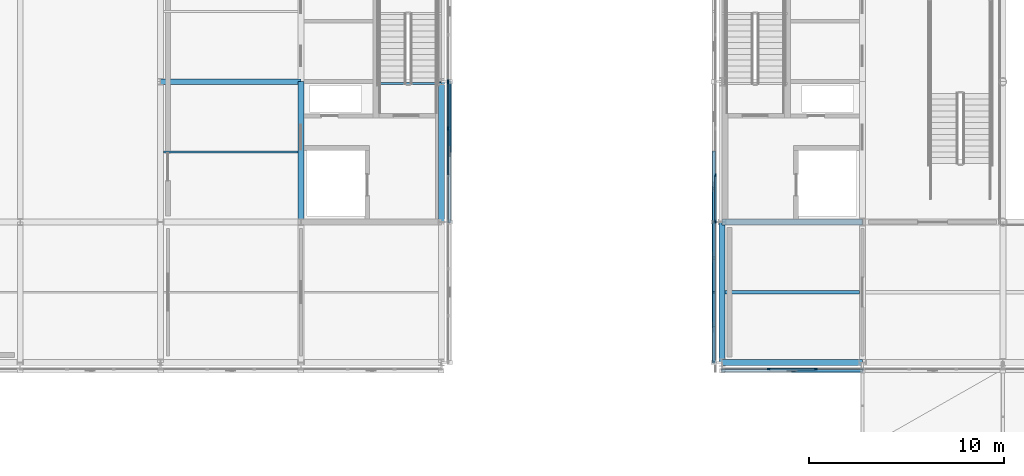
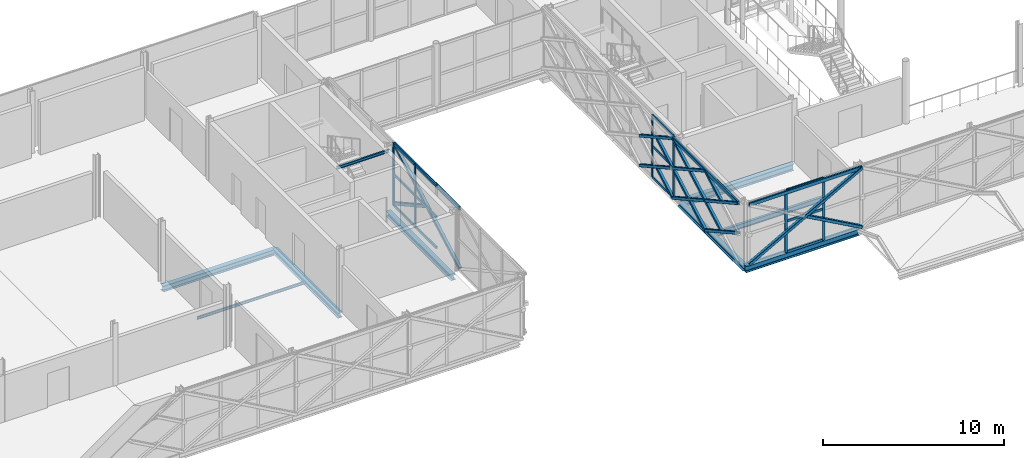
# One storey, part 29 of 146: 40 members, 9 beams, 4 elements without a shape of their own.
"""IFC4 building model written with IfcOpenShell, lengths in metres."""

from ifc_helpers import new_model, si_unit, direction, frame, origin, origin_2d, place, context, subcontext, project, spatial, rectangle, hollow_rectangle, i_section, extrude, material, material_profile, profile_set, type_object, element, aggregate, save


model = new_model("IFC4")

# Units and contexts
model_context = context("Model", 3, precision=1e-05, world=origin(), true_north=direction((0.0, 1.0)))
body_context = subcontext(model_context, "Body", "Model", "MODEL_VIEW")
ifc_project = project(units=[si_unit("LENGTHUNIT", "METRE"), si_unit("AREAUNIT", "SQUARE_METRE"), si_unit("VOLUMEUNIT", "CUBIC_METRE"), si_unit("PLANEANGLEUNIT", "RADIAN"), si_unit("MASSUNIT", "GRAM", prefix="KILO")], contexts=[model_context])

# Site, building, storey
site_placement = place(None, origin())
site = spatial("IfcSite", under=ifc_project, at=site_placement, CompositionType="ELEMENT")
building_placement = place(site_placement, origin())
building = spatial("IfcBuilding", under=site, at=building_placement, Name="Zlatovets Crest Museum", CompositionType="ELEMENT")
storey_placement = place(building_placement, frame((0.0, 0.0, 4.5)))
storey = spatial("IfcBuildingStorey", under=building, at=storey_placement, Name="L01", CompositionType="ELEMENT", Elevation=4.5)

# Beams
ifc_material_1 = material(Name="Structural steel S355J2", Category="steel")
ifc_material_profile_1 = material_profile(ifc_material_1, i_section(OverallWidth=0.300048828125, OverallDepth=0.389892578125, WebThickness=0.010986328125, FlangeThickness=0.01904296875, FilletRadius=0.027099609375, at=origin_2d()), Name="HEA 400")
ifc_profile_set_1 = profile_set([ifc_material_profile_1], Name="Structural steel S355J2")
beam_type_1 = type_object("IfcBeamType", Name="Beam_B-02", PredefinedType="BEAM", material=ifc_profile_set_1)
beam_1_placement = place(storey_placement, frame((28.800048828125, 14.39990234375, -0.4150390625), z_axis=(1.0, 0.0, 0.0), x_axis=(0.0, 1.0, 0.0)))
element("IfcBeam", 1, at=beam_1_placement, inside=storey, type_object=beam_type_1, Name="V3 L01 Primary Girder B-02", PredefinedType="BEAM", context=body_context, shape_type="SweptSolid", body=[
    extrude(i_section(OverallWidth=0.300048828125, OverallDepth=0.389892578125, WebThickness=0.010986328125, FlangeThickness=0.01904296875, FilletRadius=0.027099609375, at=origin_2d()), origin(), (0.0, 0.0, 1.0), 7.199951171875),
])
ifc_material_profile_2 = material_profile(ifc_material_1, i_section(OverallWidth=0.300048828125, OverallDepth=0.35009765625, WebThickness=0.010009765625, FlangeThickness=0.017578125, FilletRadius=0.027099609375, at=origin_2d()), Name="HEA 360")
ifc_profile_set_2 = profile_set([ifc_material_profile_2], Name="Structural steel S355J2")
beam_type_2 = type_object("IfcBeamType", Name="Beam_B-03", PredefinedType="BEAM", material=ifc_profile_set_2)
for number, where, z_axis, x_axis, name in (
    (2, (57.60009765625, 0.0, -0.39501953125), (0.0, 1.0, 0.0), (-1.0, 0.0, 0.0), "V2 L01 Grid Beam B-03"),
    (3, (36.0, 7.199951171875, -0.39501953125), (0.0, 1.0, 0.0), (-1.0, 0.0, 0.0), "V3 L01 Grid Beam B-03"),
    (4, (43.199951171875, 7.199951171875, -0.39501953125), (0.0, 1.0, 0.0), (-1.0, 0.0, 0.0), "V3 L01 Grid Beam B-03"),
):
    element("IfcBeam", number, at=place(storey_placement, frame(where, z_axis=z_axis, x_axis=x_axis)), inside=storey, type_object=beam_type_2, Name=name, PredefinedType="BEAM", context=body_context, shape_type="SweptSolid", body=[
        extrude(i_section(OverallWidth=0.300048828125, OverallDepth=0.35009765625, WebThickness=0.010009765625, FlangeThickness=0.017578125, FilletRadius=0.027099609375, at=origin_2d()), origin(), (0.0, 0.0, 1.0), 7.199951171875),
    ])
ifc_material_profile_3 = material_profile(ifc_material_1, i_section(OverallWidth=0.300048828125, OverallDepth=0.43994140625, WebThickness=0.011474609375, FlangeThickness=0.02099609375, FilletRadius=0.027099609375, at=origin_2d()), Name="HEA 450")
ifc_profile_set_3 = profile_set([ifc_material_profile_3], Name="Structural steel S355J2")
beam_type_3 = type_object("IfcBeamType", Name="Beam_B-10", PredefinedType="BEAM", material=ifc_profile_set_3)
for number, where, z_axis, x_axis, name in (
    (5, (57.60009765625, 0.0, -0.43994140625), (1.0, 0.0, 0.0), (0.0, 1.0, 0.0), "V2 L01 Primary Girder B-10"),
    (6, (57.60009765625, 7.199951171875, -0.43994140625), (1.0, 0.0, 0.0), (0.0, 1.0, 0.0), "V2 L01 Primary Girder B-10"),
):
    element("IfcBeam", number, at=place(storey_placement, frame(where, z_axis=z_axis, x_axis=x_axis)), inside=storey, type_object=beam_type_3, Name=name, PredefinedType="BEAM", context=body_context, shape_type="SweptSolid", body=[
        extrude(i_section(OverallWidth=0.300048828125, OverallDepth=0.43994140625, WebThickness=0.011474609375, FlangeThickness=0.02099609375, FilletRadius=0.027099609375, at=origin_2d()), origin(), (0.0, 0.0, 1.0), 7.199951171875),
    ])
ifc_material_profile_4 = material_profile(ifc_material_1, i_section(OverallWidth=0.159912109375, OverallDepth=0.330078125, WebThickness=0.007568359375, FlangeThickness=0.011474609375, FilletRadius=0.01806640625, at=origin_2d()), Name="IPE 330")
ifc_profile_set_4 = profile_set([ifc_material_profile_4], Name="Structural steel S355J2")
beam_type_4 = type_object("IfcBeamType", Name="Beam_J-09", PredefinedType="JOIST", material=ifc_profile_set_4)
beam_2_placement = place(storey_placement, frame((57.75, 3.60009765625, -0.385009765625), z_axis=(1.0, 0.0, 0.0), x_axis=(0.0, 1.0, 0.0)))
element("IfcBeam", 7, at=beam_2_placement, inside=storey, type_object=beam_type_4, Name="V2 L01 Composite Joist J-09", PredefinedType="JOIST", context=body_context, shape_type="SweptSolid", body=[
    extrude(i_section(OverallWidth=0.159912109375, OverallDepth=0.330078125, WebThickness=0.007568359375, FlangeThickness=0.011474609375, FilletRadius=0.01806640625, at=origin_2d()), origin(), (0.0, 0.0, 1.0), 6.89990234375),
])
ifc_material_profile_5 = material_profile(ifc_material_1, i_section(OverallWidth=0.091064453125, OverallDepth=0.179931640625, WebThickness=0.00537109375, FlangeThickness=0.008056640625, FilletRadius=0.009033203125, at=origin_2d()), Name="IPE 180")
ifc_profile_set_5 = profile_set([ifc_material_profile_5], Name="Structural steel S355J2")
beam_type_5 = type_object("IfcBeamType", Name="Beam_J-11", PredefinedType="JOIST", material=ifc_profile_set_5)
beam_3_placement = place(storey_placement, frame((28.949951171875, 10.800048828125, -0.31005859375), z_axis=(1.0, 0.0, 0.0), x_axis=(0.0, 1.0, 0.0)))
element("IfcBeam", 8, at=beam_3_placement, inside=storey, type_object=beam_type_5, Name="V3 L01 Composite Joist J-11", PredefinedType="JOIST", context=body_context, shape_type="SweptSolid", body=[
    extrude(i_section(OverallWidth=0.091064453125, OverallDepth=0.179931640625, WebThickness=0.00537109375, FlangeThickness=0.008056640625, FilletRadius=0.009033203125, at=origin_2d()), origin(), (0.0, 0.0, 1.0), 6.900146484375),
])
ifc_material_profile_6 = material_profile(ifc_material_1, i_section(OverallWidth=0.10009765625, OverallDepth=0.199951171875, WebThickness=0.005615234375, FlangeThickness=0.008544921875, FilletRadius=0.011962890625, at=origin_2d()), Name="IPE 200")
ifc_profile_set_6 = profile_set([ifc_material_profile_6], Name="Structural steel S355J2")
beam_type_6 = type_object("IfcBeamType", Name="Beam_PR-02", PredefinedType="LINTEL", material=ifc_profile_set_6)
beam_4_placement = place(storey_placement, frame((39.85009765625, 14.300048828125, 3.860107421875), z_axis=(1.0, 0.0, 0.0), x_axis=(0.0, 1.0, 0.0)))
element("IfcBeam", 9, at=beam_4_placement, inside=storey, type_object=beam_type_6, Name="Core C3 L01 Stair Well Header Beam", PredefinedType="LINTEL", context=body_context, shape_type="SweptSolid", body=[
    extrude(i_section(OverallWidth=0.10009765625, OverallDepth=0.199951171875, WebThickness=0.005615234375, FlangeThickness=0.008544921875, FilletRadius=0.011962890625, at=origin_2d()), origin(), (0.0, 0.0, 1.0), 3.349853515625),
])

# Curtain wall, members
ifc_material_2 = material(Name="Bronze-anodised aluminium and low-E triple glass", Category="aluminium")
curtain_wall_type_1 = type_object("IfcCurtainWallType", Name="CW_CW-V2-L01-M0", PredefinedType="NOTDEFINED", material=ifc_material_2)
curtain_wall_1_placement = place(storey_placement, origin())
curtain_wall_1 = element("IfcCurtainWall", 10, at=curtain_wall_1_placement, inside=storey, type_object=curtain_wall_type_1, Name="V2 L01 Secession Foyer Clear Curtain Wall", PredefinedType="NOTDEFINED")
ifc_material_3 = material(Name="Bronze-anodised aluminium EN AW-6060", Category="aluminium")
ifc_material_profile_7 = material_profile(ifc_material_3, rectangle(XDim=0.080078125, YDim=0.159912109375, at=origin_2d()), Name="ALU 80x160")
ifc_profile_set_7 = profile_set([ifc_material_profile_7], Name="Bronze-anodised aluminium EN AW-6060")
member_type_1 = type_object("IfcMemberType", Name="CWMull_M1", PredefinedType="MULLION", material=ifc_profile_set_7)
member_1_placement = place(storey_placement, frame((60.0, -0.340087890625, 0.0), z_axis=(0.0, 0.0, 1.0), x_axis=(0.0, 1.0, 0.0)))
member_1 = element("IfcMember", 11, at=member_1_placement, type_object=member_type_1, Name="CW-V2-L01-M0 mullion 2", PredefinedType="MULLION", context=body_context, shape_type="SweptSolid", body=[
    extrude(rectangle(XDim=0.080078125, YDim=0.159912109375, at=origin_2d()), origin(), (0.0, 0.0, 1.0), 4.199951171875),
])
member_2_placement = place(storey_placement, frame((62.39990234375, -0.340087890625, 0.0), z_axis=(0.0, 0.0, 1.0), x_axis=(0.0, 1.0, 0.0)))
member_2 = element("IfcMember", 12, at=member_2_placement, type_object=member_type_1, Name="CW-V2-L01-M0 mullion 3", PredefinedType="MULLION", context=body_context, shape_type="SweptSolid", body=[
    extrude(rectangle(XDim=0.080078125, YDim=0.159912109375, at=origin_2d()), origin(), (0.0, 0.0, 1.0), 4.199951171875),
])

curtain_wall_2_placement = place(storey_placement, origin())
curtain_wall_2 = element("IfcCurtainWall", 13, at=curtain_wall_2_placement, inside=storey, type_object=curtain_wall_type_1, Name="V2 L01 Expressed Core Glazed Facade", PredefinedType="NOTDEFINED")
member_3_placement = place(storey_placement, frame((57.260009765625, 9.60009765625, 0.0), z_axis=(0.0, 0.0, 1.0), x_axis=(1.0, 0.0, 0.0)))
member_3 = element("IfcMember", 14, at=member_3_placement, type_object=member_type_1, Name="CW-V2-L01-M0 mullion 3", PredefinedType="MULLION", context=body_context, shape_type="SweptSolid", body=[
    extrude(rectangle(XDim=0.080078125, YDim=0.159912109375, at=origin_2d()), origin(), (0.0, 0.0, 1.0), 4.199951171875),
])
member_4_placement = place(storey_placement, frame((57.260009765625, 7.22998046875, 0.0), z_axis=(0.0, 0.0, 1.0), x_axis=(1.0, 0.0, 0.0)))
member_4 = element("IfcMember", 15, at=member_4_placement, type_object=member_type_1, Name="CW-V2-L01-M0 mullion 4", PredefinedType="MULLION", context=body_context, shape_type="SweptSolid", body=[
    extrude(rectangle(XDim=0.080078125, YDim=0.159912109375, at=origin_2d()), origin(), (0.0, 0.0, 1.0), 4.199951171875),
])

curtain_wall_type_2 = type_object("IfcCurtainWallType", Name="CW_CW-V3-L01-M3", PredefinedType="NOTDEFINED", material=ifc_material_2)
curtain_wall_3_placement = place(storey_placement, origin())
curtain_wall_3 = element("IfcCurtainWall", 16, at=curtain_wall_3_placement, inside=storey, type_object=curtain_wall_type_2, Name="V3 L01 Expressed Core Glazed Facade", PredefinedType="NOTDEFINED")
member_5_placement = place(storey_placement, frame((43.5400390625, 12.0, 0.0), z_axis=(0.0, 0.0, 1.0), x_axis=(-1.0, 0.0, 0.0)))
member_5 = element("IfcMember", 17, at=member_5_placement, type_object=member_type_1, Name="CW-V3-L01-M3 mullion 3", PredefinedType="MULLION", context=body_context, shape_type="SweptSolid", body=[
    extrude(rectangle(XDim=0.080078125, YDim=0.159912109375, at=origin_2d()), origin(), (0.0, 0.0, 1.0), 4.199951171875),
])
member_6_placement = place(storey_placement, frame((43.5400390625, 14.3701171875, 0.0), z_axis=(0.0, 0.0, 1.0), x_axis=(-1.0, 0.0, 0.0)))
member_6 = element("IfcMember", 18, at=member_6_placement, type_object=member_type_1, Name="CW-V3-L01-M3 mullion 4", PredefinedType="MULLION", context=body_context, shape_type="SweptSolid", body=[
    extrude(rectangle(XDim=0.080078125, YDim=0.159912109375, at=origin_2d()), origin(), (0.0, 0.0, 1.0), 4.199951171875),
])

# Curtain wall, member
curtain_wall_type_3 = type_object("IfcCurtainWallType", Name="CW_CW-V3-L01-M0", PredefinedType="NOTDEFINED", material=ifc_material_2)
curtain_wall_4_placement = place(storey_placement, origin())
curtain_wall_4 = element("IfcCurtainWall", 19, at=curtain_wall_4_placement, inside=storey, type_object=curtain_wall_type_3, Name="V3 L01 Expressed Core Glazed Facade", PredefinedType="NOTDEFINED")
member_7_placement = place(storey_placement, frame((43.5400390625, 14.429931640625, 0.0), z_axis=(0.0, 0.0, 1.0), x_axis=(-1.0, 0.0, 0.0)))
member_7 = element("IfcMember", 20, at=member_7_placement, type_object=member_type_1, Name="CW-V3-L01-M0 mullion 1", PredefinedType="MULLION", context=body_context, shape_type="SweptSolid", body=[
    extrude(rectangle(XDim=0.080078125, YDim=0.159912109375, at=origin_2d()), origin(), (0.0, 0.0, 1.0), 4.199951171875),
])
aggregate(curtain_wall_4, [member_7])

# Member
ifc_material_profile_8 = material_profile(ifc_material_3, rectangle(XDim=0.080078125, YDim=0.159912109375, at=origin_2d()), Name="ALU 80x160")
ifc_profile_set_8 = profile_set([ifc_material_profile_8], Name="Bronze-anodised aluminium EN AW-6060")
member_type_2 = type_object("IfcMemberType", Name="CWTrans_T1", PredefinedType="USERDEFINED", material=ifc_profile_set_8)
member_8_placement = place(storey_placement, frame((60.030029296875, -0.340087890625, 0.030029296875), z_axis=(1.0, 0.0, 0.0), x_axis=(0.0, 1.0, 0.0)))
member_8 = element("IfcMember", 21, at=member_8_placement, type_object=member_type_2, Name="CW-V2-L01-M0 transom 2.1", ObjectType="TRANSOM", PredefinedType="USERDEFINED", context=body_context, shape_type="SweptSolid", body=[
    extrude(rectangle(XDim=0.080078125, YDim=0.159912109375, at=origin_2d()), origin(), (0.0, 0.0, 1.0), 2.340087890625),
])

member_9_placement = place(storey_placement, frame((60.030029296875, -0.340087890625, 2.10009765625), z_axis=(1.0, 0.0, 0.0), x_axis=(0.0, 1.0, 0.0)))
member_9 = element("IfcMember", 22, at=member_9_placement, type_object=member_type_2, Name="CW-V2-L01-M0 transom 2.2", ObjectType="TRANSOM", PredefinedType="USERDEFINED", context=body_context, shape_type="SweptSolid", body=[
    extrude(rectangle(XDim=0.080078125, YDim=0.159912109375, at=origin_2d()), origin(), (0.0, 0.0, 1.0), 2.340087890625),
])

member_10_placement = place(storey_placement, frame((60.030029296875, -0.340087890625, 4.169921875), z_axis=(1.0, 0.0, 0.0), x_axis=(0.0, 1.0, 0.0)))
member_10 = element("IfcMember", 23, at=member_10_placement, type_object=member_type_2, Name="CW-V2-L01-M0 transom 2.3", ObjectType="TRANSOM", PredefinedType="USERDEFINED", context=body_context, shape_type="SweptSolid", body=[
    extrude(rectangle(XDim=0.080078125, YDim=0.159912109375, at=origin_2d()), origin(), (0.0, 0.0, 1.0), 2.340087890625),
])

aggregate(curtain_wall_1, [member_1, member_2, member_8, member_9, member_10])

member_11_placement = place(storey_placement, frame((57.260009765625, 9.570068359375, 0.030029296875), z_axis=(0.0, -1.0, 0.0), x_axis=(1.0, 0.0, 0.0)))
member_11 = element("IfcMember", 24, at=member_11_placement, type_object=member_type_2, Name="CW-V2-L01-M0 transom 3.1", ObjectType="TRANSOM", PredefinedType="USERDEFINED", context=body_context, shape_type="SweptSolid", body=[
    extrude(rectangle(XDim=0.080078125, YDim=0.159912109375, at=origin_2d()), origin(), (0.0, 0.0, 1.0), 2.31005859375),
])

member_12_placement = place(storey_placement, frame((57.260009765625, 9.570068359375, 2.10009765625), z_axis=(0.0, -1.0, 0.0), x_axis=(1.0, 0.0, 0.0)))
member_12 = element("IfcMember", 25, at=member_12_placement, type_object=member_type_2, Name="CW-V2-L01-M0 transom 3.2", ObjectType="TRANSOM", PredefinedType="USERDEFINED", context=body_context, shape_type="SweptSolid", body=[
    extrude(rectangle(XDim=0.080078125, YDim=0.159912109375, at=origin_2d()), origin(), (0.0, 0.0, 1.0), 2.31005859375),
])

member_13_placement = place(storey_placement, frame((57.260009765625, 9.570068359375, 4.169921875), z_axis=(0.0, -1.0, 0.0), x_axis=(1.0, 0.0, 0.0)))
member_13 = element("IfcMember", 26, at=member_13_placement, type_object=member_type_2, Name="CW-V2-L01-M0 transom 3.3", ObjectType="TRANSOM", PredefinedType="USERDEFINED", context=body_context, shape_type="SweptSolid", body=[
    extrude(rectangle(XDim=0.080078125, YDim=0.159912109375, at=origin_2d()), origin(), (0.0, 0.0, 1.0), 2.31005859375),
])

aggregate(curtain_wall_2, [member_3, member_4, member_11, member_12, member_13])

member_14_placement = place(storey_placement, frame((43.5400390625, 9.6298828125, 0.030029296875), z_axis=(0.0, 1.0, 0.0), x_axis=(-1.0, 0.0, 0.0)))
member_14 = element("IfcMember", 27, at=member_14_placement, type_object=member_type_2, Name="CW-V3-L01-M3 transom 2.1", ObjectType="TRANSOM", PredefinedType="USERDEFINED", context=body_context, shape_type="SweptSolid", body=[
    extrude(rectangle(XDim=0.080078125, YDim=0.159912109375, at=origin_2d()), origin(), (0.0, 0.0, 1.0), 2.340087890625),
])

member_15_placement = place(storey_placement, frame((43.5400390625, 9.6298828125, 2.10009765625), z_axis=(0.0, 1.0, 0.0), x_axis=(-1.0, 0.0, 0.0)))
member_15 = element("IfcMember", 28, at=member_15_placement, type_object=member_type_2, Name="CW-V3-L01-M3 transom 2.2", ObjectType="TRANSOM", PredefinedType="USERDEFINED", context=body_context, shape_type="SweptSolid", body=[
    extrude(rectangle(XDim=0.080078125, YDim=0.159912109375, at=origin_2d()), origin(), (0.0, 0.0, 1.0), 2.340087890625),
])

member_16_placement = place(storey_placement, frame((43.5400390625, 9.6298828125, 4.169921875), z_axis=(0.0, 1.0, 0.0), x_axis=(-1.0, 0.0, 0.0)))
member_16 = element("IfcMember", 29, at=member_16_placement, type_object=member_type_2, Name="CW-V3-L01-M3 transom 2.3", ObjectType="TRANSOM", PredefinedType="USERDEFINED", context=body_context, shape_type="SweptSolid", body=[
    extrude(rectangle(XDim=0.080078125, YDim=0.159912109375, at=origin_2d()), origin(), (0.0, 0.0, 1.0), 2.340087890625),
])

member_17_placement = place(storey_placement, frame((43.5400390625, 12.030029296875, 0.030029296875), z_axis=(0.0, 1.0, 0.0), x_axis=(-1.0, 0.0, 0.0)))
member_17 = element("IfcMember", 30, at=member_17_placement, type_object=member_type_2, Name="CW-V3-L01-M3 transom 3.1", ObjectType="TRANSOM", PredefinedType="USERDEFINED", context=body_context, shape_type="SweptSolid", body=[
    extrude(rectangle(XDim=0.080078125, YDim=0.159912109375, at=origin_2d()), origin(), (0.0, 0.0, 1.0), 2.31005859375),
])

member_18_placement = place(storey_placement, frame((43.5400390625, 12.030029296875, 2.10009765625), z_axis=(0.0, 1.0, 0.0), x_axis=(-1.0, 0.0, 0.0)))
member_18 = element("IfcMember", 31, at=member_18_placement, type_object=member_type_2, Name="CW-V3-L01-M3 transom 3.2", ObjectType="TRANSOM", PredefinedType="USERDEFINED", context=body_context, shape_type="SweptSolid", body=[
    extrude(rectangle(XDim=0.080078125, YDim=0.159912109375, at=origin_2d()), origin(), (0.0, 0.0, 1.0), 2.31005859375),
])

member_19_placement = place(storey_placement, frame((43.5400390625, 12.030029296875, 4.169921875), z_axis=(0.0, 1.0, 0.0), x_axis=(-1.0, 0.0, 0.0)))
member_19 = element("IfcMember", 32, at=member_19_placement, type_object=member_type_2, Name="CW-V3-L01-M3 transom 3.3", ObjectType="TRANSOM", PredefinedType="USERDEFINED", context=body_context, shape_type="SweptSolid", body=[
    extrude(rectangle(XDim=0.080078125, YDim=0.159912109375, at=origin_2d()), origin(), (0.0, 0.0, 1.0), 2.31005859375),
])

aggregate(curtain_wall_3, [member_5, member_6, member_14, member_15, member_16, member_17, member_18, member_19])

# Members
ifc_material_4 = material(Name="Weathering bronze-steel S355J2W", Category="steel")
ifc_material_profile_9 = material_profile(ifc_material_4, hollow_rectangle(XDim=0.179931640625, YDim=0.179931640625, WallThickness=0.010009765625, InnerFilletRadius=0.010009765625, OuterFilletRadius=0.02001953125, at=origin_2d()), Name="SHS 180x180x10.0")
ifc_profile_set_9 = profile_set([ifc_material_profile_9], Name="Weathering bronze-steel S355J2W")
member_type_3 = type_object("IfcMemberType", Name="Lattice_XL-01", PredefinedType="BRACE", material=ifc_profile_set_9)
member_20_placement = place(storey_placement, frame((57.179931640625, 10.800048828125, 0.10009765625), z_axis=(0.0, -0.874162868644, 0.485632864501), x_axis=(1.0, 0.0, 0.0)))
element("IfcMember", 33, at=member_20_placement, inside=storey, type_object=member_type_3, Name="Continuous Bronze Lattice Diagonal", PredefinedType="BRACE", context=body_context, shape_type="SweptSolid", body=[
    extrude(hollow_rectangle(XDim=0.179931640625, YDim=0.179931640625, WallThickness=0.010009765625, InnerFilletRadius=0.010009765625, OuterFilletRadius=0.02001953125, at=origin_2d()), origin(), (0.0, 0.0, 1.0), 4.118408203125),
])
member_21_placement = place(storey_placement, frame((57.179931640625, 8.9169921875, 1.053955078125), z_axis=(0.0, -0.874169001841, -0.485621824284), x_axis=(1.0, 0.0, 0.0)))
element("IfcMember", 34, at=member_21_placement, inside=storey, type_object=member_type_3, Name="Split Crossing Bronze Lattice Diagonal Lower", PredefinedType="BRACE", context=body_context, shape_type="SweptSolid", body=[
    extrude(hollow_rectangle(XDim=0.179931640625, YDim=0.179931640625, WallThickness=0.010009765625, InnerFilletRadius=0.010009765625, OuterFilletRadius=0.02001953125, at=origin_2d()), origin(), (0.0, 0.0, 1.0), 1.964111328125),
])
member_22_placement = place(storey_placement, frame((57.179931640625, 10.800048828125, 2.10009765625), z_axis=(0.0, -0.874162868644, 0.485632864501), x_axis=(1.0, 0.0, 0.0)))
element("IfcMember", 35, at=member_22_placement, inside=storey, type_object=member_type_3, Name="Continuous Bronze Lattice Diagonal", PredefinedType="BRACE", context=body_context, shape_type="SweptSolid", body=[
    extrude(hollow_rectangle(XDim=0.179931640625, YDim=0.179931640625, WallThickness=0.010009765625, InnerFilletRadius=0.010009765625, OuterFilletRadius=0.02001953125, at=origin_2d()), origin(), (0.0, 0.0, 1.0), 4.118408203125),
])
member_23_placement = place(storey_placement, frame((57.179931640625, 8.9169921875, 3.053955078125), z_axis=(0.0, -0.874169001841, -0.485621824284), x_axis=(1.0, 0.0, 0.0)))
element("IfcMember", 36, at=member_23_placement, inside=storey, type_object=member_type_3, Name="Split Crossing Bronze Lattice Diagonal Lower", PredefinedType="BRACE", context=body_context, shape_type="SweptSolid", body=[
    extrude(hollow_rectangle(XDim=0.179931640625, YDim=0.179931640625, WallThickness=0.010009765625, InnerFilletRadius=0.010009765625, OuterFilletRadius=0.02001953125, at=origin_2d()), origin(), (0.0, 0.0, 1.0), 1.964111328125),
])
member_24_placement = place(storey_placement, frame((57.179931640625, 7.199951171875, 0.10009765625), z_axis=(0.0, -0.874148886685, 0.485658031857), x_axis=(1.0, 0.0, 0.0)))
element("IfcMember", 37, at=member_24_placement, inside=storey, type_object=member_type_3, Name="Continuous Bronze Lattice Diagonal", PredefinedType="BRACE", context=body_context, shape_type="SweptSolid", body=[
    extrude(hollow_rectangle(XDim=0.179931640625, YDim=0.179931640625, WallThickness=0.010009765625, InnerFilletRadius=0.010009765625, OuterFilletRadius=0.02001953125, at=origin_2d()), origin(), (0.0, 0.0, 1.0), 4.1181640625),
])
member_25_placement = place(storey_placement, frame((57.179931640625, 7.199951171875, 2.10009765625), z_axis=(0.0, -0.874116234569, -0.48571679862), x_axis=(1.0, 0.0, 0.0)))
element("IfcMember", 38, at=member_25_placement, inside=storey, type_object=member_type_3, Name="Split Crossing Bronze Lattice Diagonal Upper", PredefinedType="BRACE", context=body_context, shape_type="SweptSolid", body=[
    extrude(hollow_rectangle(XDim=0.179931640625, YDim=0.179931640625, WallThickness=0.010009765625, InnerFilletRadius=0.010009765625, OuterFilletRadius=0.02001953125, at=origin_2d()), origin(), (0.0, 0.0, 1.0), 1.96435546875),
])
member_26_placement = place(storey_placement, frame((57.179931640625, 5.31689453125, 1.053955078125), z_axis=(0.0, -0.874139684676, -0.48567459443), x_axis=(1.0, 0.0, 0.0)))
element("IfcMember", 39, at=member_26_placement, inside=storey, type_object=member_type_3, Name="Split Crossing Bronze Lattice Diagonal Lower", PredefinedType="BRACE", context=body_context, shape_type="SweptSolid", body=[
    extrude(hollow_rectangle(XDim=0.179931640625, YDim=0.179931640625, WallThickness=0.010009765625, InnerFilletRadius=0.010009765625, OuterFilletRadius=0.02001953125, at=origin_2d()), origin(), (0.0, 0.0, 1.0), 1.9638671875),
])
member_27_placement = place(storey_placement, frame((57.179931640625, 3.60009765625, 0.10009765625), z_axis=(0.0, -0.874162868644, 0.485632864501), x_axis=(1.0, 0.0, 0.0)))
element("IfcMember", 40, at=member_27_placement, inside=storey, type_object=member_type_3, Name="Continuous Bronze Lattice Diagonal", PredefinedType="BRACE", context=body_context, shape_type="SweptSolid", body=[
    extrude(hollow_rectangle(XDim=0.179931640625, YDim=0.179931640625, WallThickness=0.010009765625, InnerFilletRadius=0.010009765625, OuterFilletRadius=0.02001953125, at=origin_2d()), origin(), (0.0, 0.0, 1.0), 4.118408203125),
])
member_28_placement = place(storey_placement, frame((57.179931640625, 3.60009765625, 2.10009765625), z_axis=(0.0, -0.874116234569, -0.48571679862), x_axis=(1.0, 0.0, 0.0)))
element("IfcMember", 41, at=member_28_placement, inside=storey, type_object=member_type_3, Name="Split Crossing Bronze Lattice Diagonal Upper", PredefinedType="BRACE", context=body_context, shape_type="SweptSolid", body=[
    extrude(hollow_rectangle(XDim=0.179931640625, YDim=0.179931640625, WallThickness=0.010009765625, InnerFilletRadius=0.010009765625, OuterFilletRadius=0.02001953125, at=origin_2d()), origin(), (0.0, 0.0, 1.0), 1.96435546875),
])
member_29_placement = place(storey_placement, frame((57.179931640625, 7.199951171875, 2.10009765625), z_axis=(0.0, -0.874148886685, 0.485658031857), x_axis=(1.0, 0.0, 0.0)))
element("IfcMember", 42, at=member_29_placement, inside=storey, type_object=member_type_3, Name="Continuous Bronze Lattice Diagonal", PredefinedType="BRACE", context=body_context, shape_type="SweptSolid", body=[
    extrude(hollow_rectangle(XDim=0.179931640625, YDim=0.179931640625, WallThickness=0.010009765625, InnerFilletRadius=0.010009765625, OuterFilletRadius=0.02001953125, at=origin_2d()), origin(), (0.0, 0.0, 1.0), 4.1181640625),
])
member_30_placement = place(storey_placement, frame((57.179931640625, 7.199951171875, 4.10009765625), z_axis=(0.0, -0.874116234569, -0.48571679862), x_axis=(1.0, 0.0, 0.0)))
element("IfcMember", 43, at=member_30_placement, inside=storey, type_object=member_type_3, Name="Split Crossing Bronze Lattice Diagonal Upper", PredefinedType="BRACE", context=body_context, shape_type="SweptSolid", body=[
    extrude(hollow_rectangle(XDim=0.179931640625, YDim=0.179931640625, WallThickness=0.010009765625, InnerFilletRadius=0.010009765625, OuterFilletRadius=0.02001953125, at=origin_2d()), origin(), (0.0, 0.0, 1.0), 1.96435546875),
])
member_31_placement = place(storey_placement, frame((57.179931640625, 5.31689453125, 3.053955078125), z_axis=(0.0, -0.874139684676, -0.48567459443), x_axis=(1.0, 0.0, 0.0)))
element("IfcMember", 44, at=member_31_placement, inside=storey, type_object=member_type_3, Name="Split Crossing Bronze Lattice Diagonal Lower", PredefinedType="BRACE", context=body_context, shape_type="SweptSolid", body=[
    extrude(hollow_rectangle(XDim=0.179931640625, YDim=0.179931640625, WallThickness=0.010009765625, InnerFilletRadius=0.010009765625, OuterFilletRadius=0.02001953125, at=origin_2d()), origin(), (0.0, 0.0, 1.0), 1.9638671875),
])
member_32_placement = place(storey_placement, frame((57.179931640625, 3.60009765625, 2.10009765625), z_axis=(0.0, -0.874162868644, 0.485632864501), x_axis=(1.0, 0.0, 0.0)))
element("IfcMember", 45, at=member_32_placement, inside=storey, type_object=member_type_3, Name="Continuous Bronze Lattice Diagonal", PredefinedType="BRACE", context=body_context, shape_type="SweptSolid", body=[
    extrude(hollow_rectangle(XDim=0.179931640625, YDim=0.179931640625, WallThickness=0.010009765625, InnerFilletRadius=0.010009765625, OuterFilletRadius=0.02001953125, at=origin_2d()), origin(), (0.0, 0.0, 1.0), 4.118408203125),
])
member_33_placement = place(storey_placement, frame((57.179931640625, 3.60009765625, 4.10009765625), z_axis=(0.0, -0.874116234569, -0.48571679862), x_axis=(1.0, 0.0, 0.0)))
element("IfcMember", 46, at=member_33_placement, inside=storey, type_object=member_type_3, Name="Split Crossing Bronze Lattice Diagonal Upper", PredefinedType="BRACE", context=body_context, shape_type="SweptSolid", body=[
    extrude(hollow_rectangle(XDim=0.179931640625, YDim=0.179931640625, WallThickness=0.010009765625, InnerFilletRadius=0.010009765625, OuterFilletRadius=0.02001953125, at=origin_2d()), origin(), (0.0, 0.0, 1.0), 1.96435546875),
])
ifc_material_profile_10 = material_profile(ifc_material_4, hollow_rectangle(XDim=0.199951171875, YDim=0.199951171875, WallThickness=0.012451171875, InnerFilletRadius=0.012451171875, OuterFilletRadius=0.02490234375, at=origin_2d()), Name="SHS 200x200x12.5")
ifc_profile_set_10 = profile_set([ifc_material_profile_10], Name="Weathering bronze-steel S355J2W")
member_type_4 = type_object("IfcMemberType", Name="Lattice_XL-02", PredefinedType="BRACE", material=ifc_profile_set_10)
member_34_placement = place(storey_placement, frame((57.60009765625, -0.419921875, 0.10009765625), z_axis=(0.874155877937, 0.0, 0.485645447903), x_axis=(0.0, 1.0, 0.0)))
element("IfcMember", 47, at=member_34_placement, inside=storey, type_object=member_type_4, Name="Continuous Bronze Lattice Diagonal", PredefinedType="BRACE", context=body_context, shape_type="SweptSolid", body=[
    extrude(hollow_rectangle(XDim=0.199951171875, YDim=0.199951171875, WallThickness=0.012451171875, InnerFilletRadius=0.012451171875, OuterFilletRadius=0.02490234375, at=origin_2d()), origin(), (0.0, 0.0, 1.0), 8.236572265625),
])
member_35_placement = place(storey_placement, frame((61.282958984375, -0.419921875, 2.053955078125), z_axis=(0.874165862873, 0.0, -0.485627474703), x_axis=(0.0, 1.0, 0.0)))
element("IfcMember", 48, at=member_35_placement, inside=storey, type_object=member_type_4, Name="Split Crossing Bronze Lattice Diagonal Lower", PredefinedType="BRACE", context=body_context, shape_type="SweptSolid", body=[
    extrude(hollow_rectangle(XDim=0.199951171875, YDim=0.199951171875, WallThickness=0.012451171875, InnerFilletRadius=0.012451171875, OuterFilletRadius=0.02490234375, at=origin_2d()), origin(), (0.0, 0.0, 1.0), 4.0234375),
])
member_36_placement = place(storey_placement, frame((43.6201171875, 7.199951171875, 0.10009765625), z_axis=(0.0, 0.874155877937, 0.485645447903), x_axis=(-1.0, 0.0, 0.0)))
element("IfcMember", 49, at=member_36_placement, inside=storey, type_object=member_type_4, Name="Continuous Bronze Lattice Diagonal", PredefinedType="BRACE", context=body_context, shape_type="SweptSolid", body=[
    extrude(hollow_rectangle(XDim=0.199951171875, YDim=0.199951171875, WallThickness=0.012451171875, InnerFilletRadius=0.012451171875, OuterFilletRadius=0.02490234375, at=origin_2d()), origin(), (0.0, 0.0, 1.0), 8.236572265625),
])
member_37_placement = place(storey_placement, frame((43.6201171875, 10.883056640625, 2.053955078125), z_axis=(0.0, 0.874151551165, -0.485653235958), x_axis=(-1.0, 0.0, 0.0)))
element("IfcMember", 50, at=member_37_placement, inside=storey, type_object=member_type_4, Name="Split Crossing Bronze Lattice Diagonal Lower", PredefinedType="BRACE", context=body_context, shape_type="SweptSolid", body=[
    extrude(hollow_rectangle(XDim=0.199951171875, YDim=0.199951171875, WallThickness=0.012451171875, InnerFilletRadius=0.012451171875, OuterFilletRadius=0.02490234375, at=origin_2d()), origin(), (0.0, 0.0, 1.0), 4.023193359375),
])
ifc_material_profile_11 = material_profile(ifc_material_4, hollow_rectangle(XDim=0.1201171875, YDim=0.239990234375, WallThickness=0.010009765625, InnerFilletRadius=0.010009765625, OuterFilletRadius=0.02001953125, at=origin_2d()), Name="RHS 120x240x10.0")
ifc_profile_set_11 = profile_set([ifc_material_profile_11], Name="Weathering bronze-steel S355J2W")
member_type_5 = type_object("IfcMemberType", Name="Lattice_XL-04", PredefinedType="CHORD", material=ifc_profile_set_11)
for number, where, z_axis, x_axis, name in (
    (51, (57.60009765625, -0.419921875, 4.10009765625), (1.0, 0.0, 0.0), (0.0, 1.0, 0.0), "Art Nouveau Woven Cage Collector Ring Chord"),
    (52, (57.179931640625, 7.199951171875, 4.10009765625), (0.0, -1.0, 0.0), (1.0, 0.0, 0.0), "Art Nouveau Woven Cage Collector Ring Chord"),
    (53, (43.6201171875, 7.199951171875, 4.10009765625), (0.0, 1.0, 0.0), (-1.0, 0.0, 0.0), "Art Nouveau Woven Cage Collector Ring Chord"),
):
    element("IfcMember", number, at=place(storey_placement, frame(where, z_axis=z_axis, x_axis=x_axis)), inside=storey, type_object=member_type_5, Name=name, PredefinedType="CHORD", context=body_context, shape_type="SweptSolid", body=[
        extrude(hollow_rectangle(XDim=0.1201171875, YDim=0.239990234375, WallThickness=0.010009765625, InnerFilletRadius=0.010009765625, OuterFilletRadius=0.02001953125, at=origin_2d()), origin(), (0.0, 0.0, 1.0), 7.199951171875),
    ])

save(model, "model.ifc")
